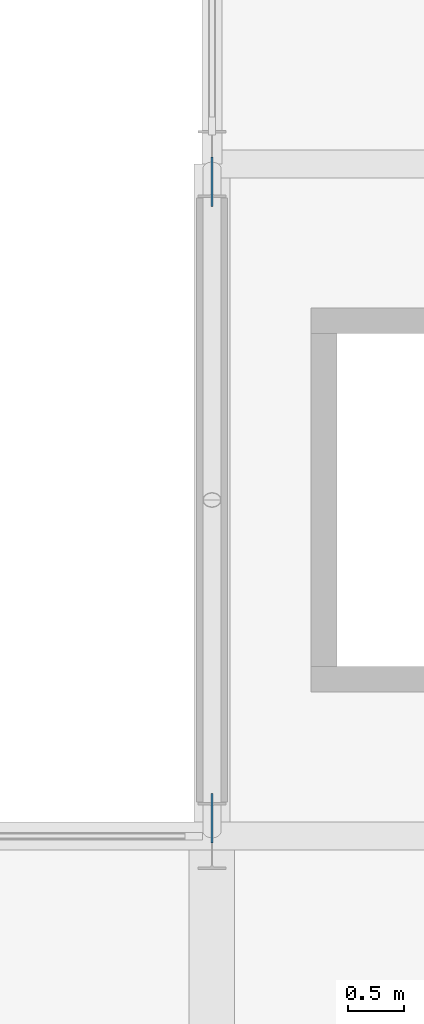
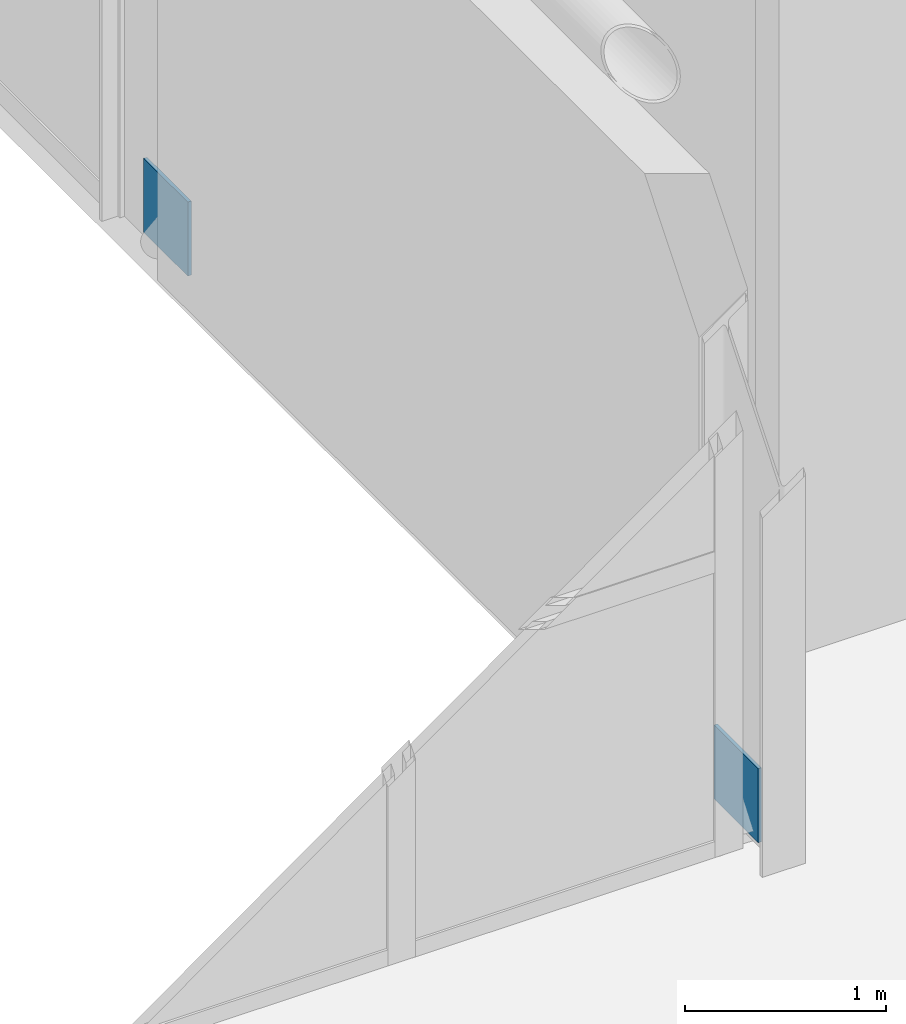
# One storey, part 79 of 96: 2 discrete accessories.
"""IFC4 building model written with IfcOpenShell, lengths in metres."""

from ifc_helpers import new_model, si_unit, direction, frame, origin, origin_2d, place, context, subcontext, project, spatial, rectangle, extrude, material, layer, layer_set, type_object, element, save


model = new_model("IFC4")

# Units and contexts
model_context = context("Model", 3, precision=1e-05, world=origin(), true_north=direction((0.0, 1.0)))
body_context = subcontext(model_context, "Body", "Model", "MODEL_VIEW")
ifc_project = project(units=[si_unit("LENGTHUNIT", "METRE"), si_unit("AREAUNIT", "SQUARE_METRE"), si_unit("VOLUMEUNIT", "CUBIC_METRE"), si_unit("PLANEANGLEUNIT", "RADIAN"), si_unit("MASSUNIT", "GRAM", prefix="KILO")], contexts=[model_context])

# Site, building, storey
site_placement = place(None, origin())
site = spatial("IfcSite", under=ifc_project, at=site_placement, CompositionType="ELEMENT")
building_placement = place(site_placement, origin())
building = spatial("IfcBuilding", under=site, at=building_placement, Name="Varnakota Square Police Headquarters", CompositionType="ELEMENT")
storey_placement = place(building_placement, frame((0.0, 0.0, 4.800048828125)))
storey = spatial("IfcBuildingStorey", under=building, at=storey_placement, Name="L01", CompositionType="ELEMENT", Elevation=4.800048828125)

# Discrete accessories
ifc_material = material(Name="Steel IS 2062 Grade 350", Category="steel")
ifc_layer = layer(ifc_material, 0.64990234375, Name="Steel IS 2062 Grade 350")
ifc_layer_set = layer_set([ifc_layer], Name="Steel IS 2062 Grade 350")
discrete_accessory_type = type_object("IfcDiscreteAccessoryType", Name="ACC-EMB-350", PredefinedType="BRACKET", material=ifc_layer_set)
for number, where, z_axis, x_axis, name in (
    (1, (138.0, 15.159912109375, 0.02490234375), (0.0, 0.0, 1.0), (0.0, 1.0, 0.0), "Brace gusset connection plate BF2 L01 L"),
    (2, (138.0, 20.840087890625, 0.02490234375), (0.0, 0.0, 1.0), (0.0, 1.0, 0.0), "Brace gusset connection plate BF2 L01 R"),
):
    element("IfcDiscreteAccessory", number, at=place(storey_placement, frame(where, z_axis=z_axis, x_axis=x_axis)), inside=storey, type_object=discrete_accessory_type, Name=name, PredefinedType="BRACKET", context=body_context, shape_type="SweptSolid", body=[
        extrude(rectangle(XDim=0.43994140625, YDim=0.02001953125, at=origin_2d()), origin(), (0.0, 0.0, 1.0), 0.449951171875),
    ])

save(model, "model.ifc")
